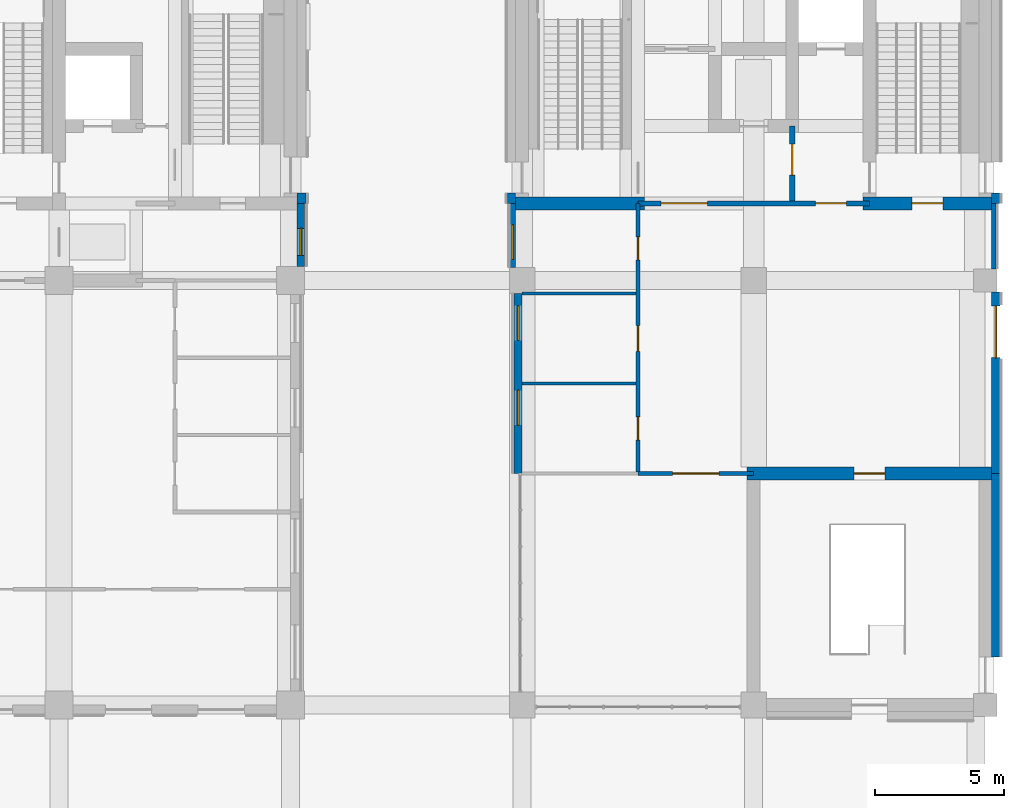
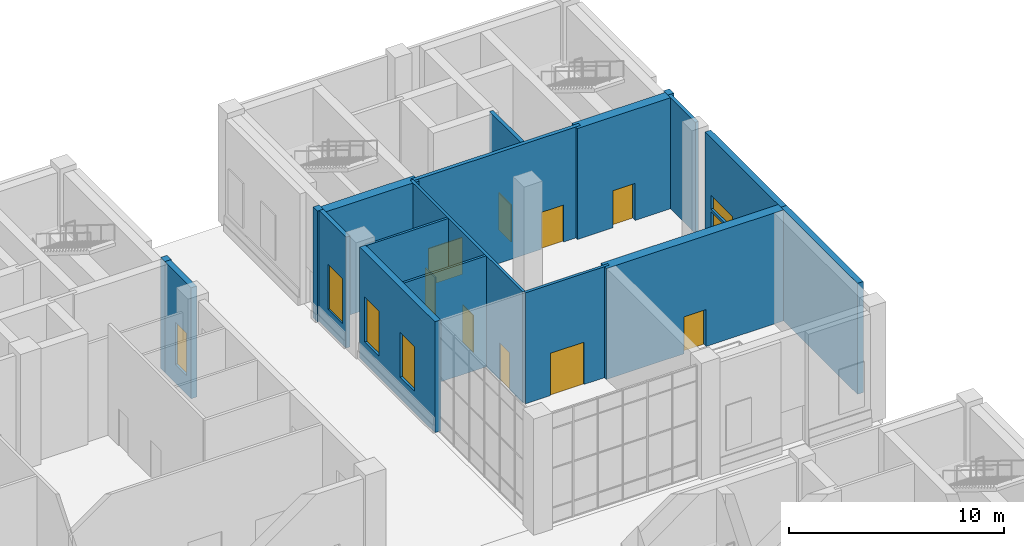
# One storey, part 16 of 35: 18 walls, 10 doors, 5 windows, 15 openings.
"""IFC4 building model written with IfcOpenShell, lengths in metres."""

from ifc_helpers import new_model, si_unit, direction, frame, frame_2d, origin, place, context, subcontext, project, spatial, rectangle, extrude, material, layer, layer_set, type_object, element, fill, save


model = new_model("IFC4")

# Units and contexts
model_context = context("Model", 3, precision=1e-05, world=origin(), true_north=direction((0.0, 1.0)))
body_context = subcontext(model_context, "Body", "Model", "MODEL_VIEW")
ifc_project = project(units=[si_unit("LENGTHUNIT", "METRE"), si_unit("AREAUNIT", "SQUARE_METRE"), si_unit("VOLUMEUNIT", "CUBIC_METRE"), si_unit("PLANEANGLEUNIT", "RADIAN"), si_unit("MASSUNIT", "GRAM", prefix="KILO")], contexts=[model_context])

# Site, building, storey
site_placement = place(None, origin())
site = spatial("IfcSite", under=ifc_project, at=site_placement, CompositionType="ELEMENT")
building_placement = place(site_placement, origin())
building = spatial("IfcBuilding", under=site, at=building_placement, Name="Aurelan Courthouse", CompositionType="ELEMENT")
storey_placement = place(building_placement, origin())
storey = spatial("IfcBuildingStorey", under=building, at=storey_placement, Name="L00", CompositionType="ELEMENT", Elevation=0.0)

# Wall, opening, door
ifc_material_1 = material(Name="Gypsum board on metal studs")
ifc_layer_1 = layer(ifc_material_1, 0.14990234375)
ifc_layer_set_1 = layer_set([ifc_layer_1], Name="Gypsum board on metal studs")
wall_type_1 = type_object("IfcWallType", Name="Corridor partition 150 EI 60", PredefinedType="PARTITIONING", material=ifc_layer_set_1)
wall_1_placement = place(storey_placement, frame((76.5, 46.5, 0.0), z_axis=(0.0, 0.0, 1.0), x_axis=(1.0, 0.0, 0.0)))
wall_1 = element("IfcWall", 1, at=wall_1_placement, inside=storey, type_object=wall_type_1, Name="Corridor partition L00-031", PredefinedType="PARTITIONING", context=body_context, shape_type="SweptSolid", body=[
    extrude(rectangle(XDim=4.5, YDim=0.14990234375, at=frame_2d((2.25, 0.0))), origin(), (0.0, 0.0, 1.0), 6.300048828125),
])
opening_1_placement = place(wall_1_placement, frame((3.150146484375, 0.0, 0.0), z_axis=(0.0, 0.0, 1.0), x_axis=(-1.0, 0.0, 0.0)))
opening_1 = element("IfcOpeningElement", 2, at=opening_1_placement, cuts=wall_1, Name="Opening D-L00-064", PredefinedType="OPENING", context=body_context, shape_type="SweptSolid", body=[
    extrude(rectangle(XDim=1.800048828125, YDim=2.39990234375, at=frame_2d((0.89990234375, 1.199951171875))), frame((0.0, 0.0849609375, 0.0), z_axis=(0.0, -1.0, 0.0), x_axis=(1.0, 0.0, 0.0)), (0.0, 0.0, 1.0), 0.169921875),
])
ifc_material_2 = material(Name="Steel", Category="steel")
door_type_1 = type_object("IfcDoorType", Name="Double door 1800 x 2400 FD60", OperationType="DOUBLE_DOOR_SINGLE_SWING", PredefinedType="DOOR", material=ifc_material_2)
door_1_placement = place(opening_1_placement, origin())
door_1 = element("IfcDoor", 3, at=door_1_placement, inside=storey, type_object=door_type_1, Name="Double door D-L00-064", OperationType="DOUBLE_DOOR_SINGLE_SWING", OverallHeight=2.39990234375, OverallWidth=1.800048828125, PredefinedType="DOOR", context=body_context, shape_type="SweptSolid", body=[
    extrude(rectangle(XDim=1.800048828125, YDim=2.39990234375, at=frame_2d((0.89990234375, 1.199951171875))), frame((0.0, 0.02490234375, 0.0), z_axis=(0.0, -1.0, 0.0), x_axis=(1.0, 0.0, 0.0)), (0.0, 0.0, 1.0), 0.050048828125),
])
fill(opening_1, door_1)

# Wall, openings, doors
wall_2_placement = place(storey_placement, frame((76.5, 46.5625, 0.0), z_axis=(0.0, 0.0, 1.0), x_axis=(0.0, 1.0, 0.0)))
wall_2 = element("IfcWall", 4, at=wall_2_placement, inside=storey, type_object=wall_type_1, Name="Corridor partition L00-093", PredefinedType="PARTITIONING", context=body_context, shape_type="SweptSolid", body=[
    extrude(rectangle(XDim=10.4375, YDim=0.14990234375, at=frame_2d((5.21875, 0.0))), origin(), (0.0, 0.0, 1.0), 6.300048828125),
])
opening_2_placement = place(wall_2_placement, frame((1.237548828125, 0.0, 0.0)))
opening_2 = element("IfcOpeningElement", 5, at=opening_2_placement, cuts=wall_2, Name="Opening D-L00-061", PredefinedType="OPENING", context=body_context, shape_type="SweptSolid", body=[
    extrude(rectangle(XDim=0.89990234375, YDim=2.10009765625, at=frame_2d((0.449951171875, 1.050048828125))), frame((0.0, 0.0849609375, 0.0), z_axis=(0.0, -1.0, 0.0), x_axis=(1.0, 0.0, 0.0)), (0.0, 0.0, 1.0), 0.169921875),
])
opening_3_placement = place(wall_2_placement, frame((4.6875, 0.0, 0.0)))
opening_3 = element("IfcOpeningElement", 6, at=opening_3_placement, cuts=wall_2, Name="Opening D-L00-062", PredefinedType="OPENING", context=body_context, shape_type="SweptSolid", body=[
    extrude(rectangle(XDim=1.0, YDim=2.10009765625, at=frame_2d((0.5, 1.050048828125))), frame((0.0, 0.0849609375, 0.0), z_axis=(0.0, -1.0, 0.0), x_axis=(1.0, 0.0, 0.0)), (0.0, 0.0, 1.0), 0.169921875),
])
opening_4_placement = place(wall_2_placement, frame((8.237548828125, 0.0, 0.0)))
opening_4 = element("IfcOpeningElement", 7, at=opening_4_placement, cuts=wall_2, Name="Opening D-L00-063", PredefinedType="OPENING", context=body_context, shape_type="SweptSolid", body=[
    extrude(rectangle(XDim=0.89990234375, YDim=2.10009765625, at=frame_2d((0.449951171875, 1.050048828125))), frame((0.0, 0.0849609375, 0.0), z_axis=(0.0, -1.0, 0.0), x_axis=(1.0, 0.0, 0.0)), (0.0, 0.0, 1.0), 0.169921875),
])
door_type_2 = type_object("IfcDoorType", Name="Single door 1000 x 2100 FD60", OperationType="SINGLE_SWING_LEFT", PredefinedType="DOOR", material=ifc_material_2)
door_2_placement = place(opening_3_placement, origin())
door_2 = element("IfcDoor", 8, at=door_2_placement, inside=storey, type_object=door_type_2, Name="Single door D-L00-062", OperationType="SINGLE_SWING_LEFT", OverallHeight=2.10009765625, OverallWidth=1.0, PredefinedType="DOOR", context=body_context, shape_type="SweptSolid", body=[
    extrude(rectangle(XDim=1.0, YDim=2.10009765625, at=frame_2d((0.5, 1.050048828125))), frame((0.0, 0.02490234375, 0.0), z_axis=(0.0, -1.0, 0.0), x_axis=(1.0, 0.0, 0.0)), (0.0, 0.0, 1.0), 0.050048828125),
])
fill(opening_3, door_2)
door_type_3 = type_object("IfcDoorType", Name="Single door 900 x 2100 FD60", OperationType="SINGLE_SWING_LEFT", PredefinedType="DOOR", material=ifc_material_2)
door_3_placement = place(opening_2_placement, origin())
door_3 = element("IfcDoor", 9, at=door_3_placement, inside=storey, type_object=door_type_3, Name="Single door D-L00-061", OperationType="SINGLE_SWING_RIGHT", OverallHeight=2.10009765625, OverallWidth=0.89990234375, PredefinedType="DOOR", context=body_context, shape_type="SweptSolid", body=[
    extrude(rectangle(XDim=0.89990234375, YDim=2.10009765625, at=frame_2d((0.449951171875, 1.050048828125))), frame((0.0, 0.02490234375, 0.0), z_axis=(0.0, -1.0, 0.0), x_axis=(1.0, 0.0, 0.0)), (0.0, 0.0, 1.0), 0.050048828125),
])
fill(opening_2, door_3)
door_4_placement = place(opening_4_placement, origin())
door_4 = element("IfcDoor", 10, at=door_4_placement, inside=storey, type_object=door_type_3, Name="Single door D-L00-063", OperationType="SINGLE_SWING_RIGHT", OverallHeight=2.10009765625, OverallWidth=0.89990234375, PredefinedType="DOOR", context=body_context, shape_type="SweptSolid", body=[
    extrude(rectangle(XDim=0.89990234375, YDim=2.10009765625, at=frame_2d((0.449951171875, 1.050048828125))), frame((0.0, 0.02490234375, 0.0), z_axis=(0.0, -1.0, 0.0), x_axis=(1.0, 0.0, 0.0)), (0.0, 0.0, 1.0), 0.050048828125),
])
fill(opening_4, door_4)

# Wall, opening, window
ifc_material_3 = material(Name="Granite cladding", Category="masonry")
ifc_layer_2 = layer(ifc_material_3, 0.0849609375, Name="Facing")
ifc_material_4 = material(Name="Ventilated cavity")
ifc_layer_3 = layer(ifc_material_4, 0.02490234375, ventilated=True, Name="Ventilated cavity")
ifc_material_5 = material(Name="Mineral wool insulation")
ifc_layer_4 = layer(ifc_material_5, 0.044921875, Name="Insulation")
ifc_material_6 = material(Name="Concrete C30", Category="concrete")
ifc_layer_5 = layer(ifc_material_6, 0.14501953125, Name="Structure")
ifc_layer_set_2 = layer_set([ifc_layer_2, ifc_layer_3, ifc_layer_4, ifc_layer_5], Name="Concrete C30")
wall_type_2 = type_object("IfcWallType", Name="Courtroom Block granite-faced wall 300", PredefinedType="SOLIDWALL", material=ifc_layer_set_2)
wall_3_placement = place(storey_placement, frame((63.39990234375, 54.550048828125, 0.0), z_axis=(0.0, 0.0, 1.0), x_axis=(0.0, 1.0, 0.0)))
wall_3 = element("IfcWall", 11, at=wall_3_placement, inside=storey, type_object=wall_type_2, Name="Facade wall FW-V2-L00-010", PredefinedType="SOLIDWALL", context=body_context, shape_type="SweptSolid", body=[
    extrude(rectangle(XDim=2.449951171875, YDim=0.300048828125, at=frame_2d((1.22509765625, 0.0))), origin(), (0.0, 0.0, 1.0), 6.300048828125),
])
opening_5_placement = place(wall_3_placement, frame((0.425048828125, 0.0, 1.050048828125)))
opening_5 = element("IfcOpeningElement", 12, at=opening_5_placement, cuts=wall_3, Name="Opening WN-V2-L00-012", PredefinedType="OPENING", context=body_context, shape_type="SweptSolid", body=[
    extrude(rectangle(XDim=1.050048828125, YDim=2.39990234375, at=frame_2d((0.52490234375, 1.199951171875))), frame((0.0, 0.159912109375, 0.0), z_axis=(0.0, -1.0, 0.0), x_axis=(1.0, 0.0, 0.0)), (0.0, 0.0, 1.0), 0.320068359375),
])
ifc_material_7 = material(Name="Bronze-finished aluminium and glass", Category="aluminium")
window_type_1 = type_object("IfcWindowType", Name="Courtroom Block window 1050 x 2400, sill 1050", PartitioningType="SINGLE_PANEL", PredefinedType="WINDOW", material=ifc_material_7)
window_1_placement = place(opening_5_placement, origin())
window_1 = element("IfcWindow", 13, at=window_1_placement, inside=storey, type_object=window_type_1, Name="Window WN-V2-L00-012", OverallHeight=2.39990234375, OverallWidth=1.050048828125, PartitioningType="SINGLE_PANEL", PredefinedType="WINDOW", context=body_context, shape_type="SweptSolid", body=[
    extrude(rectangle(XDim=1.050048828125, YDim=2.39990234375, at=frame_2d((0.52490234375, 1.199951171875))), frame((0.0, 0.030029296875, 0.0), z_axis=(0.0, -1.0, 0.0), x_axis=(1.0, 0.0, 0.0)), (0.0, 0.0, 1.0), 0.06005859375),
])
fill(opening_5, window_1)

# Walls
ifc_layer_6 = layer(ifc_material_3, 0.10009765625, Name="Facing")
ifc_layer_7 = layer(ifc_material_4, 0.02490234375, ventilated=True, Name="Ventilated cavity")
ifc_layer_8 = layer(ifc_material_5, 0.050048828125, Name="Insulation")
ifc_layer_9 = layer(ifc_material_6, 0.175048828125, Name="Structure")
ifc_layer_set_3 = layer_set([ifc_layer_6, ifc_layer_7, ifc_layer_8, ifc_layer_9], Name="Concrete C30")
wall_type_3 = type_object("IfcWallType", Name="Courtroom Block granite-faced wall 350", PredefinedType="SOLIDWALL", material=ifc_layer_set_3)
wall_4_placement = place(storey_placement, frame((63.425048828125, 57.0, 0.0), z_axis=(0.0, 0.0, 1.0), x_axis=(0.0, 1.0, 0.0)))
element("IfcWall", 14, at=wall_4_placement, inside=storey, type_object=wall_type_3, Name="Facade wall FW-V2-L00-011", PredefinedType="SOLIDWALL", context=body_context, shape_type="SweptSolid", body=[
    extrude(rectangle(XDim=0.39990234375, YDim=0.35009765625, at=frame_2d((0.199951171875, 0.0))), origin(), (0.0, 0.0, 1.0), 6.300048828125),
])
ifc_layer_10 = layer(ifc_material_3, 0.050048828125, Name="Facing")
ifc_layer_11 = layer(ifc_material_4, 0.02490234375, ventilated=True, Name="Ventilated cavity")
ifc_layer_12 = layer(ifc_material_5, 0.02490234375, Name="Insulation")
ifc_layer_13 = layer(ifc_material_6, 0.070068359375, Name="Structure")
ifc_layer_set_4 = layer_set([ifc_layer_10, ifc_layer_11, ifc_layer_12, ifc_layer_13], Name="Concrete C30")
wall_type_4 = type_object("IfcWallType", Name="Law Library granite-faced wall 170", PredefinedType="SOLIDWALL", material=ifc_layer_set_4)
wall_5_placement = place(storey_placement, frame((90.3349609375, 54.449951171875, 0.0), z_axis=(0.0, 0.0, 1.0), x_axis=(0.0, 1.0, 0.0)))
element("IfcWall", 15, at=wall_5_placement, inside=storey, type_object=wall_type_4, Name="Facade wall FW-V3-L00-007", PredefinedType="SOLIDWALL", context=body_context, shape_type="SweptSolid", body=[
    extrude(rectangle(XDim=2.550048828125, YDim=0.169921875, at=frame_2d((1.27490234375, 0.0))), origin(), (0.0, 0.0, 1.0), 6.300048828125),
])

# Wall, opening, window
ifc_layer_14 = layer(ifc_material_3, 0.06494140625, Name="Facing")
ifc_layer_15 = layer(ifc_material_4, 0.02490234375, ventilated=True, Name="Ventilated cavity")
ifc_layer_16 = layer(ifc_material_5, 0.030029296875, Name="Insulation")
ifc_layer_17 = layer(ifc_material_6, 0.10009765625, Name="Structure")
ifc_layer_set_5 = layer_set([ifc_layer_14, ifc_layer_15, ifc_layer_16, ifc_layer_17], Name="Concrete C30")
wall_type_5 = type_object("IfcWallType", Name="Law Library granite-faced wall 220", PredefinedType="SOLIDWALL", material=ifc_layer_set_5)
wall_6_placement = place(storey_placement, frame((71.639892578125, 54.5, 0.0), z_axis=(0.0, 0.0, 1.0), x_axis=(0.0, 1.0, 0.0)))
wall_6 = element("IfcWall", 16, at=wall_6_placement, inside=storey, type_object=wall_type_5, Name="Facade wall FW-V3-L00-011", PredefinedType="SOLIDWALL", context=body_context, shape_type="SweptSolid", body=[
    extrude(rectangle(XDim=2.5, YDim=0.219970703125, at=frame_2d((1.25, 0.0))), origin(), (0.0, 0.0, 1.0), 6.300048828125),
])
opening_6_placement = place(wall_6_placement, frame((0.324951171875, 0.0, 1.199951171875)))
opening_6 = element("IfcOpeningElement", 17, at=opening_6_placement, cuts=wall_6, Name="Opening WN-V3-L00-004", PredefinedType="OPENING", context=body_context, shape_type="SweptSolid", body=[
    extrude(rectangle(XDim=1.35009765625, YDim=2.550048828125, at=frame_2d((0.675048828125, 1.27490234375))), frame((0.0, 0.119873046875, 0.0), z_axis=(0.0, -1.0, 0.0), x_axis=(1.0, 0.0, 0.0)), (0.0, 0.0, 1.0), 0.239990234375),
])
window_type_2 = type_object("IfcWindowType", Name="Law Library window 1350 x 2550, sill 1200", PartitioningType="SINGLE_PANEL", PredefinedType="WINDOW", material=ifc_material_7)
window_2_placement = place(opening_6_placement, origin())
window_2 = element("IfcWindow", 18, at=window_2_placement, inside=storey, type_object=window_type_2, Name="Window WN-V3-L00-004", OverallHeight=2.550048828125, OverallWidth=1.35009765625, PartitioningType="SINGLE_PANEL", PredefinedType="WINDOW", context=body_context, shape_type="SweptSolid", body=[
    extrude(rectangle(XDim=1.35009765625, YDim=2.550048828125, at=frame_2d((0.675048828125, 1.27490234375))), frame((0.0, 0.030029296875, 0.0), z_axis=(0.0, -1.0, 0.0), x_axis=(1.0, 0.0, 0.0)), (0.0, 0.0, 1.0), 0.06005859375),
])
fill(opening_6, window_2)

# Wall
ifc_layer_18 = layer(ifc_material_3, 0.090087890625, Name="Facing")
ifc_layer_19 = layer(ifc_material_4, 0.02490234375, ventilated=True, Name="Ventilated cavity")
ifc_layer_20 = layer(ifc_material_5, 0.044921875, Name="Insulation")
ifc_layer_21 = layer(ifc_material_6, 0.159912109375, Name="Structure")
ifc_layer_set_6 = layer_set([ifc_layer_18, ifc_layer_19, ifc_layer_20, ifc_layer_21], Name="Concrete C30")
wall_type_6 = type_object("IfcWallType", Name="Law Library granite-faced wall 320", PredefinedType="SOLIDWALL", material=ifc_layer_set_6)
wall_7_placement = place(storey_placement, frame((90.409912109375, 39.3701171875, 0.0), z_axis=(0.0, 0.0, 1.0), x_axis=(0.0, 1.0, 0.0)))
element("IfcWall", 19, at=wall_7_placement, inside=storey, type_object=wall_type_6, Name="Facade wall FW-V3-L00-005", PredefinedType="SOLIDWALL", context=body_context, shape_type="SweptSolid", body=[
    extrude(rectangle(XDim=7.1298828125, YDim=0.320068359375, at=frame_2d((3.56494140625, 0.0))), origin(), (0.0, 0.0, 1.0), 6.300048828125),
])

# Wall, openings, door, window
wall_8_placement = place(storey_placement, frame((90.409912109375, 46.5, 0.0), z_axis=(0.0, 0.0, 1.0), x_axis=(0.0, 1.0, 0.0)))
wall_8 = element("IfcWall", 20, at=wall_8_placement, inside=storey, type_object=wall_type_6, Name="Facade wall FW-V3-L00-006", PredefinedType="SOLIDWALL", context=body_context, shape_type="SweptSolid", body=[
    extrude(rectangle(XDim=7.050048828125, YDim=0.320068359375, at=frame_2d((3.52490234375, 0.0))), origin(), (0.0, 0.0, 1.0), 6.300048828125),
])
opening_7_placement = place(wall_8_placement, frame((6.5, 0.0, 0.0), z_axis=(0.0, 0.0, 1.0), x_axis=(-1.0, 0.0, 0.0)))
opening_7 = element("IfcOpeningElement", 21, at=opening_7_placement, cuts=wall_8, Name="Opening D-L00-065", PredefinedType="OPENING", context=body_context, shape_type="SweptSolid", body=[
    extrude(rectangle(XDim=2.0, YDim=2.10009765625, at=frame_2d((1.0, 1.050048828125))), frame((0.0, 0.169921875, 0.0), z_axis=(0.0, -1.0, 0.0), x_axis=(1.0, 0.0, 0.0)), (0.0, 0.0, 1.0), 0.340087890625),
])
opening_8_placement = place(wall_8_placement, frame((4.5, 0.0, 2.25)))
opening_8 = element("IfcOpeningElement", 22, at=opening_8_placement, cuts=wall_8, Name="Opening WN-V3-L00-001", PredefinedType="OPENING", context=body_context, shape_type="SweptSolid", body=[
    extrude(rectangle(XDim=2.0, YDim=0.800048828125, at=frame_2d((1.0, 0.39990234375))), frame((0.0, 0.169921875, 0.0), z_axis=(0.0, -1.0, 0.0), x_axis=(1.0, 0.0, 0.0)), (0.0, 0.0, 1.0), 0.340087890625),
])
ifc_material_8 = material(Name="Bronze-clad timber", Category="wood")
door_type_4 = type_object("IfcDoorType", Name="Bronze double door 2000 x 2100", OperationType="SINGLE_SWING_LEFT", PredefinedType="DOOR", material=ifc_material_8)
door_5_placement = place(opening_7_placement, origin())
door_5 = element("IfcDoor", 23, at=door_5_placement, inside=storey, type_object=door_type_4, Name="Entrance door D-L00-065", OperationType="DOUBLE_DOOR_SINGLE_SWING", OverallHeight=2.10009765625, OverallWidth=2.0, PredefinedType="DOOR", context=body_context, shape_type="SweptSolid", body=[
    extrude(rectangle(XDim=2.0, YDim=2.10009765625, at=frame_2d((1.0, 1.050048828125))), frame((0.0, 0.02490234375, 0.0), z_axis=(0.0, -1.0, 0.0), x_axis=(1.0, 0.0, 0.0)), (0.0, 0.0, 1.0), 0.050048828125),
])
fill(opening_7, door_5)
window_type_3 = type_object("IfcWindowType", Name="Law Library transom light 2000 x 800, sill 2250", PartitioningType="SINGLE_PANEL", PredefinedType="WINDOW", material=ifc_material_7)
window_3_placement = place(opening_8_placement, origin())
window_3 = element("IfcWindow", 24, at=window_3_placement, inside=storey, type_object=window_type_3, Name="Transom light WN-V3-L00-001", OverallHeight=0.800048828125, OverallWidth=2.0, PartitioningType="SINGLE_PANEL", PredefinedType="WINDOW", context=body_context, shape_type="SweptSolid", body=[
    extrude(rectangle(XDim=2.0, YDim=0.800048828125, at=frame_2d((1.0, 0.39990234375))), frame((0.0, 0.030029296875, 0.0), z_axis=(0.0, -1.0, 0.0), x_axis=(1.0, 0.0, 0.0)), (0.0, 0.0, 1.0), 0.06005859375),
])
fill(opening_8, window_3)

# Wall
wall_9_placement = place(storey_placement, frame((90.409912109375, 57.0, 0.0), z_axis=(0.0, 0.0, 1.0), x_axis=(0.0, 1.0, 0.0)))
element("IfcWall", 25, at=wall_9_placement, inside=storey, type_object=wall_type_6, Name="Facade wall FW-V3-L00-008", PredefinedType="SOLIDWALL", context=body_context, shape_type="SweptSolid", body=[
    extrude(rectangle(XDim=0.39990234375, YDim=0.320068359375, at=frame_2d((0.199951171875, 0.0))), origin(), (0.0, 0.0, 1.0), 6.300048828125),
])

# Wall, openings, windows
wall_10_placement = place(storey_placement, frame((71.840087890625, 46.5, 0.0), z_axis=(0.0, 0.0, 1.0), x_axis=(0.0, 1.0, 0.0)))
wall_10 = element("IfcWall", 26, at=wall_10_placement, inside=storey, type_object=wall_type_6, Name="Facade wall FW-V3-L00-010", PredefinedType="SOLIDWALL", context=body_context, shape_type="SweptSolid", body=[
    extrude(rectangle(XDim=7.0, YDim=0.320068359375, at=frame_2d((3.5, 0.0))), origin(), (0.0, 0.0, 1.0), 6.300048828125),
])
opening_9_placement = place(wall_10_placement, frame((1.875, 0.0, 1.199951171875)))
opening_9 = element("IfcOpeningElement", 27, at=opening_9_placement, cuts=wall_10, Name="Opening WN-V3-L00-002", PredefinedType="OPENING", context=body_context, shape_type="SweptSolid", body=[
    extrude(rectangle(XDim=1.35009765625, YDim=2.550048828125, at=frame_2d((0.675048828125, 1.27490234375))), frame((0.0, 0.169921875, 0.0), z_axis=(0.0, -1.0, 0.0), x_axis=(1.0, 0.0, 0.0)), (0.0, 0.0, 1.0), 0.340087890625),
])
opening_10_placement = place(wall_10_placement, frame((5.175048828125, 0.0, 1.199951171875)))
opening_10 = element("IfcOpeningElement", 28, at=opening_10_placement, cuts=wall_10, Name="Opening WN-V3-L00-003", PredefinedType="OPENING", context=body_context, shape_type="SweptSolid", body=[
    extrude(rectangle(XDim=1.35009765625, YDim=2.550048828125, at=frame_2d((0.675048828125, 1.27490234375))), frame((0.0, 0.169921875, 0.0), z_axis=(0.0, -1.0, 0.0), x_axis=(1.0, 0.0, 0.0)), (0.0, 0.0, 1.0), 0.340087890625),
])
window_4_placement = place(opening_9_placement, origin())
window_4 = element("IfcWindow", 29, at=window_4_placement, inside=storey, type_object=window_type_2, Name="Window WN-V3-L00-002", OverallHeight=2.550048828125, OverallWidth=1.35009765625, PartitioningType="SINGLE_PANEL", PredefinedType="WINDOW", context=body_context, shape_type="SweptSolid", body=[
    extrude(rectangle(XDim=1.35009765625, YDim=2.550048828125, at=frame_2d((0.675048828125, 1.27490234375))), frame((0.0, 0.030029296875, 0.0), z_axis=(0.0, -1.0, 0.0), x_axis=(1.0, 0.0, 0.0)), (0.0, 0.0, 1.0), 0.06005859375),
])
fill(opening_9, window_4)
window_5_placement = place(opening_10_placement, origin())
window_5 = element("IfcWindow", 30, at=window_5_placement, inside=storey, type_object=window_type_2, Name="Window WN-V3-L00-003", OverallHeight=2.550048828125, OverallWidth=1.35009765625, PartitioningType="SINGLE_PANEL", PredefinedType="WINDOW", context=body_context, shape_type="SweptSolid", body=[
    extrude(rectangle(XDim=1.35009765625, YDim=2.550048828125, at=frame_2d((0.675048828125, 1.27490234375))), frame((0.0, 0.030029296875, 0.0), z_axis=(0.0, -1.0, 0.0), x_axis=(1.0, 0.0, 0.0)), (0.0, 0.0, 1.0), 0.06005859375),
])
fill(opening_10, window_5)

# Wall
wall_11_placement = place(storey_placement, frame((71.590087890625, 57.0, 0.0), z_axis=(0.0, 0.0, 1.0), x_axis=(0.0, 1.0, 0.0)))
element("IfcWall", 31, at=wall_11_placement, inside=storey, type_object=wall_type_6, Name="Facade wall FW-V3-L00-012", PredefinedType="SOLIDWALL", context=body_context, shape_type="SweptSolid", body=[
    extrude(rectangle(XDim=0.39990234375, YDim=0.320068359375, at=frame_2d((0.199951171875, 0.0))), origin(), (0.0, 0.0, 1.0), 6.300048828125),
])

# Wall, openings, doors
ifc_material_9 = material(Name="Masonry block", Category="masonry")
ifc_layer_22 = layer(ifc_material_9, 0.199951171875)
ifc_layer_set_7 = layer_set([ifc_layer_22], Name="Masonry block")
wall_type_7 = type_object("IfcWallType", Name="Lift lobby wall 200 EI 60", PredefinedType="PARTITIONING", material=ifc_layer_set_7)
wall_12_placement = place(storey_placement, frame((76.5, 57.0, 0.0), z_axis=(0.0, 0.0, 1.0), x_axis=(1.0, 0.0, 0.0)))
wall_12 = element("IfcWall", 32, at=wall_12_placement, inside=storey, type_object=wall_type_7, Name="Lift lobby wall L00-051", PredefinedType="PARTITIONING", context=body_context, shape_type="SweptSolid", body=[
    extrude(rectangle(XDim=9.0, YDim=0.199951171875, at=frame_2d((4.5, 0.0))), origin(), (0.0, 0.0, 1.0), 6.300048828125),
])
opening_11_placement = place(wall_12_placement, frame((0.89990234375, 0.0, 0.0)))
opening_11 = element("IfcOpeningElement", 33, at=opening_11_placement, cuts=wall_12, Name="Opening D-L00-069", PredefinedType="OPENING", context=body_context, shape_type="SweptSolid", body=[
    extrude(rectangle(XDim=1.800048828125, YDim=2.10009765625, at=frame_2d((0.89990234375, 1.050048828125))), frame((0.0, 0.10986328125, 0.0), z_axis=(0.0, -1.0, 0.0), x_axis=(1.0, 0.0, 0.0)), (0.0, 0.0, 1.0), 0.219970703125),
])
opening_12_placement = place(wall_12_placement, frame((6.89990234375, 0.0, 0.0)))
opening_12 = element("IfcOpeningElement", 34, at=opening_12_placement, cuts=wall_12, Name="Opening D-L00-070", PredefinedType="OPENING", context=body_context, shape_type="SweptSolid", body=[
    extrude(rectangle(XDim=1.199951171875, YDim=2.10009765625, at=frame_2d((0.60009765625, 1.050048828125))), frame((0.0, 0.10986328125, 0.0), z_axis=(0.0, -1.0, 0.0), x_axis=(1.0, 0.0, 0.0)), (0.0, 0.0, 1.0), 0.219970703125),
])
door_type_5 = type_object("IfcDoorType", Name="Double door 1800 x 2100 FD60", OperationType="DOUBLE_DOOR_SINGLE_SWING", PredefinedType="DOOR", material=ifc_material_2)
door_6_placement = place(opening_11_placement, origin())
door_6 = element("IfcDoor", 35, at=door_6_placement, inside=storey, type_object=door_type_5, Name="Double door D-L00-069", OperationType="DOUBLE_DOOR_SINGLE_SWING", OverallHeight=2.10009765625, OverallWidth=1.800048828125, PredefinedType="DOOR", context=body_context, shape_type="SweptSolid", body=[
    extrude(rectangle(XDim=1.800048828125, YDim=2.10009765625, at=frame_2d((0.89990234375, 1.050048828125))), frame((0.0, 0.02490234375, 0.0), z_axis=(0.0, -1.0, 0.0), x_axis=(1.0, 0.0, 0.0)), (0.0, 0.0, 1.0), 0.050048828125),
])
fill(opening_11, door_6)
door_type_6 = type_object("IfcDoorType", Name="Single door 1200 x 2100 FD60", OperationType="SINGLE_SWING_LEFT", PredefinedType="DOOR", material=ifc_material_2)
door_7_placement = place(opening_12_placement, origin())
door_7 = element("IfcDoor", 36, at=door_7_placement, inside=storey, type_object=door_type_6, Name="Single door D-L00-070", OperationType="SINGLE_SWING_LEFT", OverallHeight=2.10009765625, OverallWidth=1.199951171875, PredefinedType="DOOR", context=body_context, shape_type="SweptSolid", body=[
    extrude(rectangle(XDim=1.199951171875, YDim=2.10009765625, at=frame_2d((0.60009765625, 1.050048828125))), frame((0.0, 0.02490234375, 0.0), z_axis=(0.0, -1.0, 0.0), x_axis=(1.0, 0.0, 0.0)), (0.0, 0.0, 1.0), 0.050048828125),
])
fill(opening_12, door_7)

# Wall, opening, door
wall_13_placement = place(storey_placement, frame((82.5, 57.10009765625, 0.0), z_axis=(0.0, 0.0, 1.0), x_axis=(0.0, 1.0, 0.0)))
wall_13 = element("IfcWall", 37, at=wall_13_placement, inside=storey, type_object=wall_type_7, Name="Lift lobby wall L00-095", PredefinedType="PARTITIONING", context=body_context, shape_type="SweptSolid", body=[
    extrude(rectangle(XDim=2.89990234375, YDim=0.199951171875, at=frame_2d((1.449951171875, 0.0))), origin(), (0.0, 0.0, 1.0), 6.300048828125),
])
opening_13_placement = place(wall_13_placement, frame((2.199951171875, 0.0, 0.0), z_axis=(0.0, 0.0, 1.0), x_axis=(-1.0, 0.0, 0.0)))
opening_13 = element("IfcOpeningElement", 38, at=opening_13_placement, cuts=wall_13, Name="Opening D-L00-056", PredefinedType="OPENING", context=body_context, shape_type="SweptSolid", body=[
    extrude(rectangle(XDim=1.199951171875, YDim=2.10009765625, at=frame_2d((0.60009765625, 1.050048828125))), frame((0.0, 0.10986328125, 0.0), z_axis=(0.0, -1.0, 0.0), x_axis=(1.0, 0.0, 0.0)), (0.0, 0.0, 1.0), 0.219970703125),
])
door_8_placement = place(opening_13_placement, origin())
door_8 = element("IfcDoor", 39, at=door_8_placement, inside=storey, type_object=door_type_6, Name="Single door D-L00-056", OperationType="SINGLE_SWING_LEFT", OverallHeight=2.10009765625, OverallWidth=1.199951171875, PredefinedType="DOOR", context=body_context, shape_type="SweptSolid", body=[
    extrude(rectangle(XDim=1.199951171875, YDim=2.10009765625, at=frame_2d((0.60009765625, 1.050048828125))), frame((0.0, 0.02490234375, 0.0), z_axis=(0.0, -1.0, 0.0), x_axis=(1.0, 0.0, 0.0)), (0.0, 0.0, 1.0), 0.050048828125),
])
fill(opening_13, door_8)

ifc_material_10 = material(Name="Concrete C50", Category="concrete")
ifc_layer_23 = layer(ifc_material_10, 0.5)
ifc_layer_set_8 = layer_set([ifc_layer_23], Name="Concrete C50")
wall_type_8 = type_object("IfcWallType", Name="RC shear wall 500", PredefinedType="SHEAR", material=ifc_layer_set_8)
wall_14_placement = place(storey_placement, frame((80.75, 46.5, 0.0), z_axis=(0.0, 0.0, 1.0), x_axis=(1.0, 0.0, 0.0)))
wall_14 = element("IfcWall", 40, at=wall_14_placement, inside=storey, type_object=wall_type_8, Name="Core wall SW-L00-049", PredefinedType="SHEAR", context=body_context, shape_type="SweptSolid", body=[
    extrude(rectangle(XDim=9.5, YDim=0.5, at=frame_2d((4.75, 0.0))), origin(), (0.0, 0.0, 1.0), 6.300048828125),
])
opening_14_placement = place(wall_14_placement, frame((5.349853515625, 0.0, 0.0), z_axis=(0.0, 0.0, 1.0), x_axis=(-1.0, 0.0, 0.0)))
opening_14 = element("IfcOpeningElement", 41, at=opening_14_placement, cuts=wall_14, Name="Opening D-L00-066", PredefinedType="OPENING", context=body_context, shape_type="SweptSolid", body=[
    extrude(rectangle(XDim=1.199951171875, YDim=2.10009765625, at=frame_2d((0.60009765625, 1.050048828125))), frame((0.0, 0.260009765625, 0.0), z_axis=(0.0, -1.0, 0.0), x_axis=(1.0, 0.0, 0.0)), (0.0, 0.0, 1.0), 0.52001953125),
])
door_type_7 = type_object("IfcDoorType", Name="Single door 1200 x 2100 FD90", OperationType="SINGLE_SWING_LEFT", PredefinedType="DOOR", material=ifc_material_2)
door_9_placement = place(opening_14_placement, origin())
door_9 = element("IfcDoor", 42, at=door_9_placement, inside=storey, type_object=door_type_7, Name="Single door D-L00-066", OperationType="SINGLE_SWING_RIGHT", OverallHeight=2.10009765625, OverallWidth=1.199951171875, PredefinedType="DOOR", context=body_context, shape_type="SweptSolid", body=[
    extrude(rectangle(XDim=1.199951171875, YDim=2.10009765625, at=frame_2d((0.60009765625, 1.050048828125))), frame((0.0, 0.02490234375, 0.0), z_axis=(0.0, -1.0, 0.0), x_axis=(1.0, 0.0, 0.0)), (0.0, 0.0, 1.0), 0.050048828125),
])
fill(opening_14, door_9)

# Wall
wall_15_placement = place(storey_placement, frame((71.75, 57.0, 0.0), z_axis=(0.0, 0.0, 1.0), x_axis=(1.0, 0.0, 0.0)))
element("IfcWall", 43, at=wall_15_placement, inside=storey, type_object=wall_type_8, Name="Core wall SW-L00-063", PredefinedType="SHEAR", context=body_context, shape_type="SweptSolid", body=[
    extrude(rectangle(XDim=5.0, YDim=0.5, at=frame_2d((2.5, 0.0))), origin(), (0.0, 0.0, 1.0), 6.300048828125),
])

# Wall, opening, door
wall_16_placement = place(storey_placement, frame((85.25, 57.0, 0.0), z_axis=(0.0, 0.0, 1.0), x_axis=(1.0, 0.0, 0.0)))
wall_16 = element("IfcWall", 44, at=wall_16_placement, inside=storey, type_object=wall_type_8, Name="Core wall SW-L00-064", PredefinedType="SHEAR", context=body_context, shape_type="SweptSolid", body=[
    extrude(rectangle(XDim=5.0, YDim=0.5, at=frame_2d((2.5, 0.0))), origin(), (0.0, 0.0, 1.0), 6.300048828125),
])
opening_15_placement = place(wall_16_placement, frame((1.89990234375, 0.0, 0.0)))
opening_15 = element("IfcOpeningElement", 45, at=opening_15_placement, cuts=wall_16, Name="Opening D-L00-071", PredefinedType="OPENING", context=body_context, shape_type="SweptSolid", body=[
    extrude(rectangle(XDim=1.199951171875, YDim=2.10009765625, at=frame_2d((0.60009765625, 1.050048828125))), frame((0.0, 0.260009765625, 0.0), z_axis=(0.0, -1.0, 0.0), x_axis=(1.0, 0.0, 0.0)), (0.0, 0.0, 1.0), 0.52001953125),
])
door_10_placement = place(opening_15_placement, origin())
door_10 = element("IfcDoor", 46, at=door_10_placement, inside=storey, type_object=door_type_7, Name="Single door D-L00-071", OperationType="SINGLE_SWING_RIGHT", OverallHeight=2.10009765625, OverallWidth=1.199951171875, PredefinedType="DOOR", context=body_context, shape_type="SweptSolid", body=[
    extrude(rectangle(XDim=1.199951171875, YDim=2.10009765625, at=frame_2d((0.60009765625, 1.050048828125))), frame((0.0, 0.02490234375, 0.0), z_axis=(0.0, -1.0, 0.0), x_axis=(1.0, 0.0, 0.0)), (0.0, 0.0, 1.0), 0.050048828125),
])
fill(opening_15, door_10)

# Walls
ifc_material_11 = material(Name="Moisture-resistant board on metal studs")
ifc_layer_24 = layer(ifc_material_11, 0.125)
ifc_layer_set_9 = layer_set([ifc_layer_24], Name="Moisture-resistant board on metal studs")
wall_type_9 = type_object("IfcWallType", Name="Wet-area partition 125 NOT RATED", PredefinedType="PARTITIONING", material=ifc_layer_set_9)
for number, where, z_axis, x_axis, name in (
    (47, (72.0, 50.0, 0.0), (0.0, 0.0, 1.0), (1.0, 0.0, 0.0), "Wet-area partition L00-035"),
    (48, (72.0, 53.5, 0.0), (0.0, 0.0, 1.0), (1.0, 0.0, 0.0), "Wet-area partition L00-039"),
):
    element("IfcWall", number, at=place(storey_placement, frame(where, z_axis=z_axis, x_axis=x_axis)), inside=storey, type_object=wall_type_9, Name=name, PredefinedType="PARTITIONING", context=body_context, shape_type="SweptSolid", body=[
        extrude(rectangle(XDim=4.425048828125, YDim=0.125, at=frame_2d((2.21240234375, 0.0))), origin(), (0.0, 0.0, 1.0), 6.300048828125),
    ])

save(model, "model.ifc")
